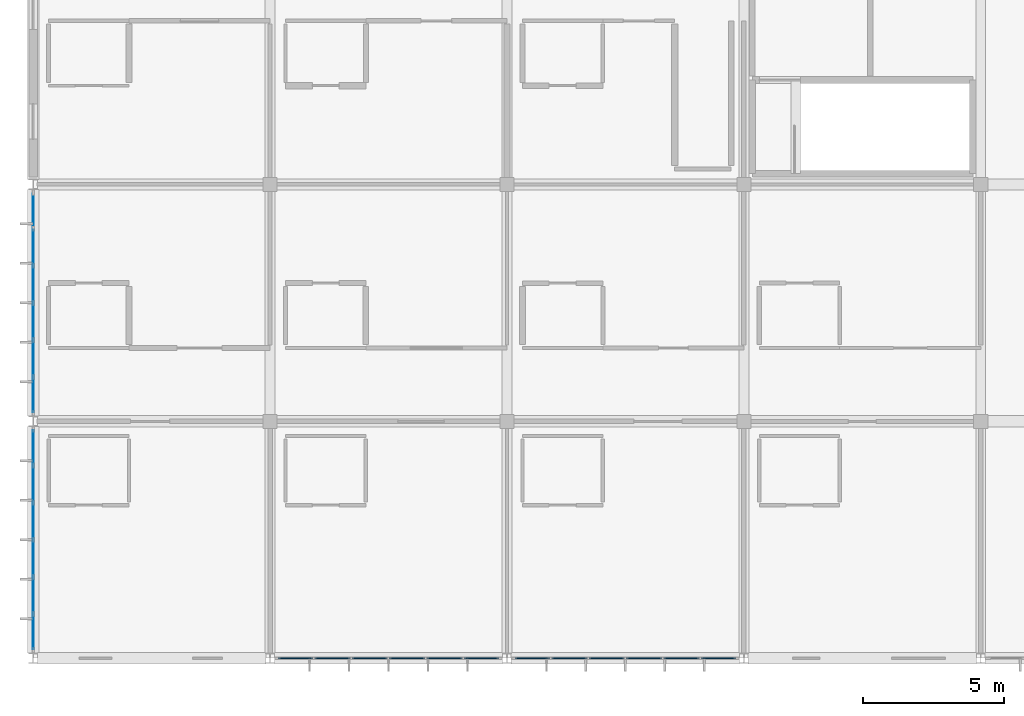
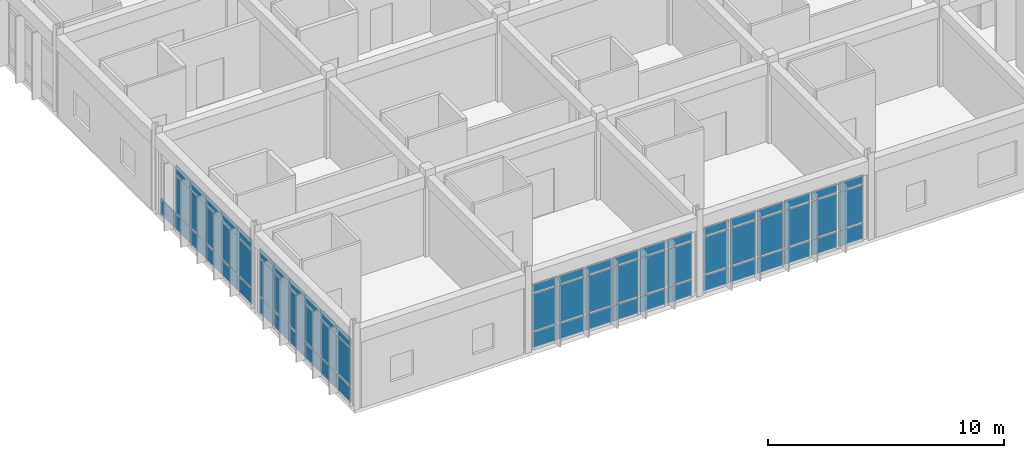
# One storey, part 70 of 144: 70 plates, 4 elements without a shape of their own.
"""IFC4 building model written with IfcOpenShell, lengths in metres."""

import ifcopenshell
import ifcopenshell.guid

model = None  # the IFC model being written
_history = None  # IfcOwnerHistory: only IFC2X3 demands one
_inside = {}  # id of a spatial element -> (the spatial element, [elements in it])
_under = {}  # id of a project, library or spatial element -> (it, [spatial elements below it])
_declared = {}  # id of a project -> (the project, [libraries it declares])
_typed = {}  # id of a type object -> (the type object, [elements of that type])
_made_of = {}  # id of a material, layer set ... -> (it, [elements and type objects made of it])


def new_model(schema):
    """Start an empty IFC model of exactly this schema.

    Asked for "IFC4X3", IfcOpenShell would pick the latest addendum, in which some entities
    have other attributes; the version numbers below select the first issue.
    IFC2X3 requires an IfcOwnerHistory on every rooted entity: one is made here for all.
    """
    global model, _history
    if schema == "IFC4X3":
        model = ifcopenshell.file(schema_version=(4, 3, 0, 0))
    else:
        model = ifcopenshell.file(schema=schema)
    _inside.clear()
    _under.clear()
    _declared.clear()
    _typed.clear()
    _made_of.clear()
    _history = None
    if model.schema == "IFC2X3":
        org = make("IfcOrganization", Name="unknown")
        user = make(
            "IfcPersonAndOrganization",
            ThePerson=make("IfcPerson", FamilyName="unknown"),
            TheOrganization=org,
        )
        app = make(
            "IfcApplication",
            ApplicationDeveloper=org,
            Version="unknown",
            ApplicationFullName="unknown",
            ApplicationIdentifier="unknown",
        )
        _history = make(
            "IfcOwnerHistory",
            OwningUser=user,
            OwningApplication=app,
            ChangeAction="ADDED",
            CreationDate=0,
        )
    return model


def make(cls, **values):
    """One entity of the class cls with the attributes given. An attribute that is None is left unset."""
    return model.create_entity(
        cls, **{name: value for name, value in values.items() if value is not None}
    )


def rooted(cls, **values):
    """An entity with a GlobalId (a new one), such as an element, a storey or a relation."""
    return make(cls, GlobalId=ifcopenshell.guid.new(), OwnerHistory=_history, **values)


def si_unit(unit_type, name, prefix=None):
    """IfcSIUnit, for example si_unit("LENGTHUNIT", "METRE", prefix="MILLI")."""
    return make("IfcSIUnit", UnitType=unit_type, Prefix=prefix, Name=name)


def assignment(units):
    """IfcUnitAssignment: the units of a project."""
    return None if units is None else make("IfcUnitAssignment", Units=units)


def point(xyz):
    """IfcCartesianPoint."""
    return None if xyz is None else make("IfcCartesianPoint", Coordinates=xyz)


def direction(xyz):
    """IfcDirection."""
    return None if xyz is None else make("IfcDirection", DirectionRatios=xyz)


def frame(location, z_axis=None, x_axis=None):
    """IfcAxis2Placement3D, a coordinate frame: its origin and axes. An axis left out is left unset."""
    return make(
        "IfcAxis2Placement3D",
        Location=point(location),
        Axis=direction(z_axis),
        RefDirection=direction(x_axis),
    )


def frame_2d(location, x_axis=None):
    """IfcAxis2Placement2D, a coordinate frame in the plane: its origin and x axis."""
    return make(
        "IfcAxis2Placement2D", Location=point(location), RefDirection=direction(x_axis)
    )


def origin():
    """The frame at (0, 0, 0) with its axes left unset."""
    return frame((0.0, 0.0, 0.0))


def origin_2d():
    """The frame at (0, 0) in the plane with its x axis left unset."""
    return frame_2d((0.0, 0.0))


def place(relative_to, where):
    """IfcLocalPlacement: puts the frame where relative to a parent placement (None: the world)."""
    return make(
        "IfcLocalPlacement", PlacementRelTo=relative_to, RelativePlacement=where
    )


def context(
    kind, dimensions, precision=None, world=None, true_north=None, identifier=None
):
    """IfcGeometricRepresentationContext, for example the 3D "Model" context."""
    return make(
        "IfcGeometricRepresentationContext",
        ContextIdentifier=identifier,
        ContextType=kind,
        CoordinateSpaceDimension=dimensions,
        Precision=precision,
        WorldCoordinateSystem=world,
        TrueNorth=true_north,
    )


def subcontext(parent, identifier, kind, view, scale=None):
    """IfcGeometricRepresentationSubContext, for example "Body" below "Model"."""
    return make(
        "IfcGeometricRepresentationSubContext",
        ContextIdentifier=identifier,
        ContextType=kind,
        ParentContext=parent,
        TargetScale=scale,
        TargetView=view,
    )


def project(units=None, contexts=None):
    """IfcProject with its units and contexts."""
    return rooted(
        "IfcProject",
        Name="project",
        RepresentationContexts=contexts,
        UnitsInContext=assignment(units),
    )


def spatial(cls, under=None, at=None, **own):
    """A site, building, storey or space (cls), placed at a placement, below another one or the project."""
    s = rooted(cls, ObjectPlacement=at, **own)
    if under is not None:
        _under.setdefault(under.id(), (under, []))[1].append(s)
    return s


def profile(cls, at=None, kind="AREA", **sizes):
    """A parametric profile (cls). Its sizes go by their IFC names, for example OverallWidth=200.0."""
    return make(cls, ProfileType=kind, Position=at, **sizes)


def rectangle(**sizes):
    """IfcRectangleProfileDef."""
    return profile("IfcRectangleProfileDef", **sizes)


def extrude(swept, where, along, depth):
    """IfcExtrudedAreaSolid: the profile swept, set in the frame where, extruded along a direction by depth."""
    return make(
        "IfcExtrudedAreaSolid",
        SweptArea=swept,
        Position=where,
        ExtrudedDirection=direction(along),
        Depth=depth,
    )


def shape(context_of_items, identifier, shape_type, items):
    """IfcShapeRepresentation: the items that make up one representation, for example the "Body"."""
    return make(
        "IfcShapeRepresentation",
        ContextOfItems=context_of_items,
        RepresentationIdentifier=identifier,
        RepresentationType=shape_type,
        Items=items,
    )


def material(Name=None, Category=None):
    """IfcMaterial."""
    return make("IfcMaterial", Name=Name, Category=Category)


def layer(
    of_material, thickness, ventilated=None, Name=None, Category=None, Priority=None
):
    """IfcMaterialLayer: one layer of a wall or slab, of a material (None: an air gap)."""
    return make(
        "IfcMaterialLayer",
        Material=of_material,
        LayerThickness=thickness,
        IsVentilated=ventilated,
        Name=Name,
        Category=Category,
        Priority=Priority,
    )


def layer_set(layers, Name=None):
    """IfcMaterialLayerSet."""
    return make("IfcMaterialLayerSet", MaterialLayers=layers, LayerSetName=Name)


def made_of(thing, what):
    """Note that an element or type object is made of a material, layer set ...; save() writes the relation."""
    if what is not None:
        _made_of.setdefault(what.id(), (what, []))[1].append(thing)
    return thing


def type_object(cls, material=None, **own):
    """A type object (cls), such as IfcWallType, which elements share."""
    return made_of(rooted(cls, **own), material)


def element(
    cls,
    number,
    at=None,
    inside=None,
    cuts=None,
    type_object=None,
    material=None,
    context=None,
    identifier="Body",
    shape_type=None,
    held_by="IfcProductDefinitionShape",
    body=None,
    shapes=None,
    **own,
):
    """One element of the class cls, such as IfcWall. Its Tag is "e" and its number.

    at: its placement. inside: the storey or other place that contains it. cuts: it is an
    opening in that element (IfcRelVoidsElement). A single representation is given by context,
    identifier, shape_type and body (its items); several are given by shapes. held_by: the class
    of the entity that holds the representations. save() writes the other relations.
    """
    e = rooted(cls, Tag="e%d" % number, ObjectPlacement=at, **own)
    if body is not None:
        shapes = [shape(context, identifier, shape_type, body)]
    if shapes is not None:
        e.Representation = make(held_by, Representations=shapes)
    if inside is not None:
        _inside.setdefault(inside.id(), (inside, []))[1].append(e)
    if cuts is not None:
        rooted(
            "IfcRelVoidsElement", RelatingBuildingElement=cuts, RelatedOpeningElement=e
        )
    if type_object is not None:
        _typed.setdefault(type_object.id(), (type_object, []))[1].append(e)
    return made_of(e, material)


def aggregate(whole, parts):
    """IfcRelAggregates: a whole, such as a stair, and the parts it consists of."""
    return rooted("IfcRelAggregates", RelatingObject=whole, RelatedObjects=parts)


def save(model, path):
    """Write the relations noted so far, then the file.

    IfcRelAggregates (storeys below a building ...), IfcRelContainedInSpatialStructure (elements
    in a storey), IfcRelDefinesByType, IfcRelAssociatesMaterial and IfcRelDeclares: one each for
    every whole, place, type object, material and project.
    """
    for whole, parts in _under.values():
        aggregate(whole, parts)
    for where, things in _inside.values():
        rooted(
            "IfcRelContainedInSpatialStructure",
            RelatedElements=things,
            RelatingStructure=where,
        )
    for kind, things in _typed.values():
        rooted("IfcRelDefinesByType", RelatedObjects=things, RelatingType=kind)
    for what, things in _made_of.values():
        rooted("IfcRelAssociatesMaterial", RelatedObjects=things, RelatingMaterial=what)
    for by, libraries in _declared.values():
        rooted("IfcRelDeclares", RelatingContext=by, RelatedDefinitions=libraries)
    model.write(path)


model = new_model("IFC4")

# Units and contexts
model_context = context("Model", 3, precision=1e-05, world=origin(), true_north=direction((0.0, 1.0)))
body_context = subcontext(model_context, "Body", "Model", "MODEL_VIEW")
ifc_project = project(units=[si_unit("LENGTHUNIT", "METRE"), si_unit("AREAUNIT", "SQUARE_METRE"), si_unit("VOLUMEUNIT", "CUBIC_METRE"), si_unit("PLANEANGLEUNIT", "RADIAN"), si_unit("MASSUNIT", "GRAM", prefix="KILO")], contexts=[model_context])

# Site, building, storey
site_placement = place(None, origin())
site = spatial("IfcSite", under=ifc_project, at=site_placement, CompositionType="ELEMENT")
building_placement = place(site_placement, origin())
building = spatial("IfcBuilding", under=site, at=building_placement, Name="Bramfleet General Hospital", CompositionType="ELEMENT")
storey_placement = place(building_placement, frame((0.0, 0.0, 4.800048828125)))
storey = spatial("IfcBuildingStorey", under=building, at=storey_placement, Name="L01", CompositionType="ELEMENT", Elevation=4.800048828125)

# Curtain wall, plates
ifc_material_1 = material(Name="Anodised aluminium and low-E triple glazing", Category="aluminium")
ifc_layer_1 = layer(ifc_material_1, 0.179931640625, Name="CWT-CW-17")
ifc_layer_set_1 = layer_set([ifc_layer_1], Name="Anodised aluminium and low-E triple glazing")
curtain_wall_type_1 = type_object("IfcCurtainWallType", Name="CWT-CW-17", PredefinedType="USERDEFINED", material=ifc_layer_set_1)
curtain_wall_1_placement = place(storey_placement, origin())
curtain_wall_1 = element("IfcCurtainWall", 1, at=curtain_wall_1_placement, inside=storey, type_object=curtain_wall_type_1, Name="L01 Curtain Wall 89", ObjectType="Stick curtain wall", PredefinedType="USERDEFINED")
ifc_material_2 = material(Name="Low-E laminated safety glass", Category="glass")
ifc_layer_2 = layer(ifc_material_2, 0.028076171875, Name="CWP-GLZ-1")
ifc_layer_set_2 = layer_set([ifc_layer_2], Name="Low-E laminated safety glass")
plate_type_1 = type_object("IfcPlateType", Name="CWP-GLZ-1", PredefinedType="CURTAIN_PANEL", material=ifc_layer_set_2)
plate_1_placement = place(storey_placement, frame((0.0, 0.929931640625, 0.06494140625), z_axis=(0.0, 0.0, 1.0), x_axis=(0.0, 1.0, 0.0)))
plate_1 = element("IfcPlate", 2, at=plate_1_placement, type_object=plate_type_1, Name="CW-17 panel 1.1", PredefinedType="CURTAIN_PANEL", context=body_context, shape_type="SweptSolid", body=[
    extrude(rectangle(XDim=1.2099609375, YDim=0.028076171875, at=origin_2d()), origin(), (0.0, 0.0, 1.0), 0.802490234375),
])
plate_2_placement = place(storey_placement, frame((0.0, 0.929931640625, 0.9326171875), z_axis=(0.0, 0.0, 1.0), x_axis=(0.0, 1.0, 0.0)))
plate_2 = element("IfcPlate", 3, at=plate_2_placement, type_object=plate_type_1, Name="CW-17 panel 1.2", PredefinedType="CURTAIN_PANEL", context=body_context, shape_type="SweptSolid", body=[
    extrude(rectangle(XDim=1.2099609375, YDim=0.028076171875, at=origin_2d()), origin(), (0.0, 0.0, 1.0), 1.925048828125),
])
plate_3_placement = place(storey_placement, frame((0.0, 0.929931640625, 2.92236328125), z_axis=(0.0, 0.0, 1.0), x_axis=(0.0, 1.0, 0.0)))
plate_3 = element("IfcPlate", 4, at=plate_3_placement, type_object=plate_type_1, Name="CW-17 panel 1.3", PredefinedType="CURTAIN_PANEL", context=body_context, shape_type="SweptSolid", body=[
    extrude(rectangle(XDim=1.2099609375, YDim=0.028076171875, at=origin_2d()), origin(), (0.0, 0.0, 1.0), 0.452392578125),
])
plate_4_placement = place(storey_placement, frame((0.0, 2.2275390625, 0.06494140625), z_axis=(0.0, 0.0, 1.0), x_axis=(0.0, 1.0, 0.0)))
plate_4 = element("IfcPlate", 5, at=plate_4_placement, type_object=plate_type_1, Name="CW-17 panel 2.1", PredefinedType="CURTAIN_PANEL", context=body_context, shape_type="SweptSolid", body=[
    extrude(rectangle(XDim=1.2451171875, YDim=0.028076171875, at=origin_2d()), origin(), (0.0, 0.0, 1.0), 0.802490234375),
])
plate_5_placement = place(storey_placement, frame((0.0, 2.2275390625, 0.9326171875), z_axis=(0.0, 0.0, 1.0), x_axis=(0.0, 1.0, 0.0)))
plate_5 = element("IfcPlate", 6, at=plate_5_placement, type_object=plate_type_1, Name="CW-17 panel 2.2", PredefinedType="CURTAIN_PANEL", context=body_context, shape_type="SweptSolid", body=[
    extrude(rectangle(XDim=1.2451171875, YDim=0.028076171875, at=origin_2d()), origin(), (0.0, 0.0, 1.0), 1.925048828125),
])
plate_6_placement = place(storey_placement, frame((0.0, 2.2275390625, 2.92236328125), z_axis=(0.0, 0.0, 1.0), x_axis=(0.0, 1.0, 0.0)))
plate_6 = element("IfcPlate", 7, at=plate_6_placement, type_object=plate_type_1, Name="CW-17 panel 2.3", PredefinedType="CURTAIN_PANEL", context=body_context, shape_type="SweptSolid", body=[
    extrude(rectangle(XDim=1.2451171875, YDim=0.028076171875, at=origin_2d()), origin(), (0.0, 0.0, 1.0), 0.452392578125),
])
plate_7_placement = place(storey_placement, frame((0.0, 3.54248046875, 0.06494140625), z_axis=(0.0, 0.0, 1.0), x_axis=(0.0, 1.0, 0.0)))
plate_7 = element("IfcPlate", 8, at=plate_7_placement, type_object=plate_type_1, Name="CW-17 panel 3.1", PredefinedType="CURTAIN_PANEL", context=body_context, shape_type="SweptSolid", body=[
    extrude(rectangle(XDim=1.2451171875, YDim=0.028076171875, at=origin_2d()), origin(), (0.0, 0.0, 1.0), 0.802490234375),
])
plate_8_placement = place(storey_placement, frame((0.0, 3.54248046875, 0.9326171875), z_axis=(0.0, 0.0, 1.0), x_axis=(0.0, 1.0, 0.0)))
plate_8 = element("IfcPlate", 9, at=plate_8_placement, type_object=plate_type_1, Name="CW-17 panel 3.2", PredefinedType="CURTAIN_PANEL", context=body_context, shape_type="SweptSolid", body=[
    extrude(rectangle(XDim=1.2451171875, YDim=0.028076171875, at=origin_2d()), origin(), (0.0, 0.0, 1.0), 1.925048828125),
])
plate_9_placement = place(storey_placement, frame((0.0, 3.54248046875, 2.92236328125), z_axis=(0.0, 0.0, 1.0), x_axis=(0.0, 1.0, 0.0)))
plate_9 = element("IfcPlate", 10, at=plate_9_placement, type_object=plate_type_1, Name="CW-17 panel 3.3", PredefinedType="CURTAIN_PANEL", context=body_context, shape_type="SweptSolid", body=[
    extrude(rectangle(XDim=1.2451171875, YDim=0.028076171875, at=origin_2d()), origin(), (0.0, 0.0, 1.0), 0.452392578125),
])
plate_10_placement = place(storey_placement, frame((0.0, 4.857421875, 0.06494140625), z_axis=(0.0, 0.0, 1.0), x_axis=(0.0, 1.0, 0.0)))
plate_10 = element("IfcPlate", 11, at=plate_10_placement, type_object=plate_type_1, Name="CW-17 panel 4.1", PredefinedType="CURTAIN_PANEL", context=body_context, shape_type="SweptSolid", body=[
    extrude(rectangle(XDim=1.2451171875, YDim=0.028076171875, at=origin_2d()), origin(), (0.0, 0.0, 1.0), 0.802490234375),
])
plate_11_placement = place(storey_placement, frame((0.0, 4.857421875, 0.9326171875), z_axis=(0.0, 0.0, 1.0), x_axis=(0.0, 1.0, 0.0)))
plate_11 = element("IfcPlate", 12, at=plate_11_placement, type_object=plate_type_1, Name="CW-17 panel 4.2", PredefinedType="CURTAIN_PANEL", context=body_context, shape_type="SweptSolid", body=[
    extrude(rectangle(XDim=1.2451171875, YDim=0.028076171875, at=origin_2d()), origin(), (0.0, 0.0, 1.0), 1.925048828125),
])
plate_12_placement = place(storey_placement, frame((0.0, 4.857421875, 2.92236328125), z_axis=(0.0, 0.0, 1.0), x_axis=(0.0, 1.0, 0.0)))
plate_12 = element("IfcPlate", 13, at=plate_12_placement, type_object=plate_type_1, Name="CW-17 panel 4.3", PredefinedType="CURTAIN_PANEL", context=body_context, shape_type="SweptSolid", body=[
    extrude(rectangle(XDim=1.2451171875, YDim=0.028076171875, at=origin_2d()), origin(), (0.0, 0.0, 1.0), 0.452392578125),
])
plate_13_placement = place(storey_placement, frame((0.0, 6.172607421875, 0.06494140625), z_axis=(0.0, 0.0, 1.0), x_axis=(0.0, 1.0, 0.0)))
plate_13 = element("IfcPlate", 14, at=plate_13_placement, type_object=plate_type_1, Name="CW-17 panel 5.1", PredefinedType="CURTAIN_PANEL", context=body_context, shape_type="SweptSolid", body=[
    extrude(rectangle(XDim=1.2451171875, YDim=0.028076171875, at=origin_2d()), origin(), (0.0, 0.0, 1.0), 0.802490234375),
])
plate_14_placement = place(storey_placement, frame((0.0, 6.172607421875, 0.9326171875), z_axis=(0.0, 0.0, 1.0), x_axis=(0.0, 1.0, 0.0)))
plate_14 = element("IfcPlate", 15, at=plate_14_placement, type_object=plate_type_1, Name="CW-17 panel 5.2", PredefinedType="CURTAIN_PANEL", context=body_context, shape_type="SweptSolid", body=[
    extrude(rectangle(XDim=1.2451171875, YDim=0.028076171875, at=origin_2d()), origin(), (0.0, 0.0, 1.0), 1.925048828125),
])
plate_15_placement = place(storey_placement, frame((0.0, 6.172607421875, 2.92236328125), z_axis=(0.0, 0.0, 1.0), x_axis=(0.0, 1.0, 0.0)))
plate_15 = element("IfcPlate", 16, at=plate_15_placement, type_object=plate_type_1, Name="CW-17 panel 5.3", PredefinedType="CURTAIN_PANEL", context=body_context, shape_type="SweptSolid", body=[
    extrude(rectangle(XDim=1.2451171875, YDim=0.028076171875, at=origin_2d()), origin(), (0.0, 0.0, 1.0), 0.452392578125),
])
plate_16_placement = place(storey_placement, frame((0.0, 7.469970703125, 0.06494140625), z_axis=(0.0, 0.0, 1.0), x_axis=(0.0, 1.0, 0.0)))
plate_16 = element("IfcPlate", 17, at=plate_16_placement, type_object=plate_type_1, Name="CW-17 panel 6.1", PredefinedType="CURTAIN_PANEL", context=body_context, shape_type="SweptSolid", body=[
    extrude(rectangle(XDim=1.2099609375, YDim=0.028076171875, at=origin_2d()), origin(), (0.0, 0.0, 1.0), 0.802490234375),
])
plate_17_placement = place(storey_placement, frame((0.0, 7.469970703125, 0.9326171875), z_axis=(0.0, 0.0, 1.0), x_axis=(0.0, 1.0, 0.0)))
plate_17 = element("IfcPlate", 18, at=plate_17_placement, type_object=plate_type_1, Name="CW-17 panel 6.2", PredefinedType="CURTAIN_PANEL", context=body_context, shape_type="SweptSolid", body=[
    extrude(rectangle(XDim=1.2099609375, YDim=0.028076171875, at=origin_2d()), origin(), (0.0, 0.0, 1.0), 1.925048828125),
])
plate_18_placement = place(storey_placement, frame((0.0, 7.469970703125, 2.92236328125), z_axis=(0.0, 0.0, 1.0), x_axis=(0.0, 1.0, 0.0)))
plate_18 = element("IfcPlate", 19, at=plate_18_placement, type_object=plate_type_1, Name="CW-17 panel 6.3", PredefinedType="CURTAIN_PANEL", context=body_context, shape_type="SweptSolid", body=[
    extrude(rectangle(XDim=1.2099609375, YDim=0.028076171875, at=origin_2d()), origin(), (0.0, 0.0, 1.0), 0.452392578125),
])
aggregate(curtain_wall_1, [plate_1, plate_2, plate_3, plate_4, plate_5, plate_6, plate_7, plate_8, plate_9, plate_10, plate_11, plate_12, plate_13, plate_14, plate_15, plate_16, plate_17, plate_18])

ifc_layer_3 = layer(ifc_material_1, 0.179931640625, Name="CWT-CW-18")
ifc_layer_set_3 = layer_set([ifc_layer_3], Name="Anodised aluminium and low-E triple glazing")
curtain_wall_type_2 = type_object("IfcCurtainWallType", Name="CWT-CW-18", PredefinedType="USERDEFINED", material=ifc_layer_set_3)
curtain_wall_2_placement = place(storey_placement, origin())
curtain_wall_2 = element("IfcCurtainWall", 20, at=curtain_wall_2_placement, inside=storey, type_object=curtain_wall_type_2, Name="L01 Curtain Wall 90", ObjectType="Stick curtain wall", PredefinedType="USERDEFINED")
ifc_layer_4 = layer(ifc_material_2, 0.031982421875, Name="CWP-GLZ-2")
ifc_layer_set_4 = layer_set([ifc_layer_4], Name="Low-E laminated safety glass")
plate_type_2 = type_object("IfcPlateType", Name="CWP-GLZ-2", PredefinedType="CURTAIN_PANEL", material=ifc_layer_set_4)
plate_19_placement = place(storey_placement, frame((0.0, 9.330078125, 0.06494140625), z_axis=(0.0, 0.0, 1.0), x_axis=(0.0, 1.0, 0.0)))
plate_19 = element("IfcPlate", 21, at=plate_19_placement, type_object=plate_type_2, Name="CW-18 panel 1.1", PredefinedType="CURTAIN_PANEL", context=body_context, shape_type="SweptSolid", body=[
    extrude(rectangle(XDim=1.2099609375, YDim=0.031982421875, at=origin_2d()), origin(), (0.0, 0.0, 1.0), 0.802490234375),
])
plate_20_placement = place(storey_placement, frame((0.0, 9.330078125, 0.9326171875), z_axis=(0.0, 0.0, 1.0), x_axis=(0.0, 1.0, 0.0)))
plate_20 = element("IfcPlate", 22, at=plate_20_placement, type_object=plate_type_2, Name="CW-18 panel 1.2", PredefinedType="CURTAIN_PANEL", context=body_context, shape_type="SweptSolid", body=[
    extrude(rectangle(XDim=1.2099609375, YDim=0.031982421875, at=origin_2d()), origin(), (0.0, 0.0, 1.0), 1.925048828125),
])
plate_21_placement = place(storey_placement, frame((0.0, 9.330078125, 2.92236328125), z_axis=(0.0, 0.0, 1.0), x_axis=(0.0, 1.0, 0.0)))
plate_21 = element("IfcPlate", 23, at=plate_21_placement, type_object=plate_type_2, Name="CW-18 panel 1.3", PredefinedType="CURTAIN_PANEL", context=body_context, shape_type="SweptSolid", body=[
    extrude(rectangle(XDim=1.2099609375, YDim=0.031982421875, at=origin_2d()), origin(), (0.0, 0.0, 1.0), 0.452392578125),
])
plate_22_placement = place(storey_placement, frame((0.0, 10.62744140625, 0.06494140625), z_axis=(0.0, 0.0, 1.0), x_axis=(0.0, 1.0, 0.0)))
plate_22 = element("IfcPlate", 24, at=plate_22_placement, type_object=plate_type_2, Name="CW-18 panel 2.1", PredefinedType="CURTAIN_PANEL", context=body_context, shape_type="SweptSolid", body=[
    extrude(rectangle(XDim=1.2451171875, YDim=0.031982421875, at=origin_2d()), origin(), (0.0, 0.0, 1.0), 0.802490234375),
])
plate_23_placement = place(storey_placement, frame((0.0, 10.62744140625, 0.9326171875), z_axis=(0.0, 0.0, 1.0), x_axis=(0.0, 1.0, 0.0)))
plate_23 = element("IfcPlate", 25, at=plate_23_placement, type_object=plate_type_2, Name="CW-18 panel 2.2", PredefinedType="CURTAIN_PANEL", context=body_context, shape_type="SweptSolid", body=[
    extrude(rectangle(XDim=1.2451171875, YDim=0.031982421875, at=origin_2d()), origin(), (0.0, 0.0, 1.0), 1.925048828125),
])
plate_24_placement = place(storey_placement, frame((0.0, 10.62744140625, 2.92236328125), z_axis=(0.0, 0.0, 1.0), x_axis=(0.0, 1.0, 0.0)))
plate_24 = element("IfcPlate", 26, at=plate_24_placement, type_object=plate_type_2, Name="CW-18 panel 2.3", PredefinedType="CURTAIN_PANEL", context=body_context, shape_type="SweptSolid", body=[
    extrude(rectangle(XDim=1.2451171875, YDim=0.031982421875, at=origin_2d()), origin(), (0.0, 0.0, 1.0), 0.452392578125),
])
plate_25_placement = place(storey_placement, frame((0.0, 11.9423828125, 0.06494140625), z_axis=(0.0, 0.0, 1.0), x_axis=(0.0, 1.0, 0.0)))
plate_25 = element("IfcPlate", 27, at=plate_25_placement, type_object=plate_type_2, Name="CW-18 panel 3.1", PredefinedType="CURTAIN_PANEL", context=body_context, shape_type="SweptSolid", body=[
    extrude(rectangle(XDim=1.2451171875, YDim=0.031982421875, at=origin_2d()), origin(), (0.0, 0.0, 1.0), 0.802490234375),
])
plate_26_placement = place(storey_placement, frame((0.0, 11.9423828125, 0.9326171875), z_axis=(0.0, 0.0, 1.0), x_axis=(0.0, 1.0, 0.0)))
plate_26 = element("IfcPlate", 28, at=plate_26_placement, type_object=plate_type_2, Name="CW-18 panel 3.2", PredefinedType="CURTAIN_PANEL", context=body_context, shape_type="SweptSolid", body=[
    extrude(rectangle(XDim=1.2451171875, YDim=0.031982421875, at=origin_2d()), origin(), (0.0, 0.0, 1.0), 1.925048828125),
])
plate_27_placement = place(storey_placement, frame((0.0, 11.9423828125, 2.92236328125), z_axis=(0.0, 0.0, 1.0), x_axis=(0.0, 1.0, 0.0)))
plate_27 = element("IfcPlate", 29, at=plate_27_placement, type_object=plate_type_2, Name="CW-18 panel 3.3", PredefinedType="CURTAIN_PANEL", context=body_context, shape_type="SweptSolid", body=[
    extrude(rectangle(XDim=1.2451171875, YDim=0.031982421875, at=origin_2d()), origin(), (0.0, 0.0, 1.0), 0.452392578125),
])
plate_28_placement = place(storey_placement, frame((0.0, 13.257568359375, 0.06494140625), z_axis=(0.0, 0.0, 1.0), x_axis=(0.0, 1.0, 0.0)))
plate_28 = element("IfcPlate", 30, at=plate_28_placement, type_object=plate_type_2, Name="CW-18 panel 4.1", PredefinedType="CURTAIN_PANEL", context=body_context, shape_type="SweptSolid", body=[
    extrude(rectangle(XDim=1.2451171875, YDim=0.031982421875, at=origin_2d()), origin(), (0.0, 0.0, 1.0), 0.802490234375),
])
plate_29_placement = place(storey_placement, frame((0.0, 13.257568359375, 0.9326171875), z_axis=(0.0, 0.0, 1.0), x_axis=(0.0, 1.0, 0.0)))
plate_29 = element("IfcPlate", 31, at=plate_29_placement, type_object=plate_type_2, Name="CW-18 panel 4.2", PredefinedType="CURTAIN_PANEL", context=body_context, shape_type="SweptSolid", body=[
    extrude(rectangle(XDim=1.2451171875, YDim=0.031982421875, at=origin_2d()), origin(), (0.0, 0.0, 1.0), 1.925048828125),
])
plate_30_placement = place(storey_placement, frame((0.0, 13.257568359375, 2.92236328125), z_axis=(0.0, 0.0, 1.0), x_axis=(0.0, 1.0, 0.0)))
plate_30 = element("IfcPlate", 32, at=plate_30_placement, type_object=plate_type_2, Name="CW-18 panel 4.3", PredefinedType="CURTAIN_PANEL", context=body_context, shape_type="SweptSolid", body=[
    extrude(rectangle(XDim=1.2451171875, YDim=0.031982421875, at=origin_2d()), origin(), (0.0, 0.0, 1.0), 0.452392578125),
])
plate_31_placement = place(storey_placement, frame((0.0, 14.572509765625, 0.06494140625), z_axis=(0.0, 0.0, 1.0), x_axis=(0.0, 1.0, 0.0)))
plate_31 = element("IfcPlate", 33, at=plate_31_placement, type_object=plate_type_2, Name="CW-18 panel 5.1", PredefinedType="CURTAIN_PANEL", context=body_context, shape_type="SweptSolid", body=[
    extrude(rectangle(XDim=1.2451171875, YDim=0.031982421875, at=origin_2d()), origin(), (0.0, 0.0, 1.0), 0.802490234375),
])
plate_32_placement = place(storey_placement, frame((0.0, 14.572509765625, 0.9326171875), z_axis=(0.0, 0.0, 1.0), x_axis=(0.0, 1.0, 0.0)))
plate_32 = element("IfcPlate", 34, at=plate_32_placement, type_object=plate_type_2, Name="CW-18 panel 5.2", PredefinedType="CURTAIN_PANEL", context=body_context, shape_type="SweptSolid", body=[
    extrude(rectangle(XDim=1.2451171875, YDim=0.031982421875, at=origin_2d()), origin(), (0.0, 0.0, 1.0), 1.925048828125),
])
plate_33_placement = place(storey_placement, frame((0.0, 14.572509765625, 2.92236328125), z_axis=(0.0, 0.0, 1.0), x_axis=(0.0, 1.0, 0.0)))
plate_33 = element("IfcPlate", 35, at=plate_33_placement, type_object=plate_type_2, Name="CW-18 panel 5.3", PredefinedType="CURTAIN_PANEL", context=body_context, shape_type="SweptSolid", body=[
    extrude(rectangle(XDim=1.2451171875, YDim=0.031982421875, at=origin_2d()), origin(), (0.0, 0.0, 1.0), 0.452392578125),
])
plate_34_placement = place(storey_placement, frame((0.0, 15.8701171875, 0.06494140625), z_axis=(0.0, 0.0, 1.0), x_axis=(0.0, 1.0, 0.0)))
plate_34 = element("IfcPlate", 36, at=plate_34_placement, type_object=plate_type_2, Name="CW-18 panel 6.1", PredefinedType="CURTAIN_PANEL", context=body_context, shape_type="SweptSolid", body=[
    extrude(rectangle(XDim=1.2099609375, YDim=0.031982421875, at=origin_2d()), origin(), (0.0, 0.0, 1.0), 0.802490234375),
])
aggregate(curtain_wall_2, [plate_19, plate_20, plate_21, plate_22, plate_23, plate_24, plate_25, plate_26, plate_27, plate_28, plate_29, plate_30, plate_31, plate_32, plate_33, plate_34])

ifc_layer_5 = layer(ifc_material_1, 0.179931640625, Name="CWT-CW-15")
ifc_layer_set_5 = layer_set([ifc_layer_5], Name="Anodised aluminium and low-E triple glazing")
curtain_wall_type_3 = type_object("IfcCurtainWallType", Name="CWT-CW-15", PredefinedType="USERDEFINED", material=ifc_layer_set_5)
curtain_wall_3_placement = place(storey_placement, origin())
curtain_wall_3 = element("IfcCurtainWall", 37, at=curtain_wall_3_placement, inside=storey, type_object=curtain_wall_type_3, Name="L01 Curtain Wall 87", ObjectType="Stick curtain wall", PredefinedType="USERDEFINED")
ifc_layer_6 = layer(ifc_material_2, 0.035888671875, Name="CWP-GLZ-3")
ifc_layer_set_6 = layer_set([ifc_layer_6], Name="Low-E laminated safety glass")
plate_type_3 = type_object("IfcPlateType", Name="CWP-GLZ-3", PredefinedType="CURTAIN_PANEL", material=ifc_layer_set_6)
plate_35_placement = place(storey_placement, frame((24.294921875, 0.0, 0.06494140625), z_axis=(0.0, 0.0, 1.0), x_axis=(-1.0, 0.0, 0.0)))
plate_35 = element("IfcPlate", 38, at=plate_35_placement, type_object=plate_type_3, Name="CW-15 panel 1.1", PredefinedType="CURTAIN_PANEL", context=body_context, shape_type="SweptSolid", body=[
    extrude(rectangle(XDim=1.219970703125, YDim=0.035888671875, at=origin_2d()), origin(), (0.0, 0.0, 1.0), 0.802490234375),
])
plate_36_placement = place(storey_placement, frame((24.294921875, 0.0, 0.9326171875), z_axis=(0.0, 0.0, 1.0), x_axis=(-1.0, 0.0, 0.0)))
plate_36 = element("IfcPlate", 39, at=plate_36_placement, type_object=plate_type_3, Name="CW-15 panel 1.2", PredefinedType="CURTAIN_PANEL", context=body_context, shape_type="SweptSolid", body=[
    extrude(rectangle(XDim=1.219970703125, YDim=0.035888671875, at=origin_2d()), origin(), (0.0, 0.0, 1.0), 1.925048828125),
])
plate_37_placement = place(storey_placement, frame((24.294921875, 0.0, 2.92236328125), z_axis=(0.0, 0.0, 1.0), x_axis=(-1.0, 0.0, 0.0)))
plate_37 = element("IfcPlate", 40, at=plate_37_placement, type_object=plate_type_3, Name="CW-15 panel 1.3", PredefinedType="CURTAIN_PANEL", context=body_context, shape_type="SweptSolid", body=[
    extrude(rectangle(XDim=1.219970703125, YDim=0.035888671875, at=origin_2d()), origin(), (0.0, 0.0, 1.0), 0.452392578125),
])
plate_38_placement = place(storey_placement, frame((22.987548828125, 0.0, 0.06494140625), z_axis=(0.0, 0.0, 1.0), x_axis=(-1.0, 0.0, 0.0)))
plate_38 = element("IfcPlate", 41, at=plate_38_placement, type_object=plate_type_3, Name="CW-15 panel 2.1", PredefinedType="CURTAIN_PANEL", context=body_context, shape_type="SweptSolid", body=[
    extrude(rectangle(XDim=1.2548828125, YDim=0.035888671875, at=origin_2d()), origin(), (0.0, 0.0, 1.0), 0.802490234375),
])
plate_39_placement = place(storey_placement, frame((22.987548828125, 0.0, 0.9326171875), z_axis=(0.0, 0.0, 1.0), x_axis=(-1.0, 0.0, 0.0)))
plate_39 = element("IfcPlate", 42, at=plate_39_placement, type_object=plate_type_3, Name="CW-15 panel 2.2", PredefinedType="CURTAIN_PANEL", context=body_context, shape_type="SweptSolid", body=[
    extrude(rectangle(XDim=1.2548828125, YDim=0.035888671875, at=origin_2d()), origin(), (0.0, 0.0, 1.0), 1.925048828125),
])
plate_40_placement = place(storey_placement, frame((22.987548828125, 0.0, 2.92236328125), z_axis=(0.0, 0.0, 1.0), x_axis=(-1.0, 0.0, 0.0)))
plate_40 = element("IfcPlate", 43, at=plate_40_placement, type_object=plate_type_3, Name="CW-15 panel 2.3", PredefinedType="CURTAIN_PANEL", context=body_context, shape_type="SweptSolid", body=[
    extrude(rectangle(XDim=1.2548828125, YDim=0.035888671875, at=origin_2d()), origin(), (0.0, 0.0, 1.0), 0.452392578125),
])
plate_41_placement = place(storey_placement, frame((21.66259765625, 0.0, 0.06494140625), z_axis=(0.0, 0.0, 1.0), x_axis=(-1.0, 0.0, 0.0)))
plate_41 = element("IfcPlate", 44, at=plate_41_placement, type_object=plate_type_3, Name="CW-15 panel 3.1", PredefinedType="CURTAIN_PANEL", context=body_context, shape_type="SweptSolid", body=[
    extrude(rectangle(XDim=1.2548828125, YDim=0.035888671875, at=origin_2d()), origin(), (0.0, 0.0, 1.0), 0.802490234375),
])
plate_42_placement = place(storey_placement, frame((21.66259765625, 0.0, 0.9326171875), z_axis=(0.0, 0.0, 1.0), x_axis=(-1.0, 0.0, 0.0)))
plate_42 = element("IfcPlate", 45, at=plate_42_placement, type_object=plate_type_3, Name="CW-15 panel 3.2", PredefinedType="CURTAIN_PANEL", context=body_context, shape_type="SweptSolid", body=[
    extrude(rectangle(XDim=1.2548828125, YDim=0.035888671875, at=origin_2d()), origin(), (0.0, 0.0, 1.0), 1.925048828125),
])
plate_43_placement = place(storey_placement, frame((21.66259765625, 0.0, 2.92236328125), z_axis=(0.0, 0.0, 1.0), x_axis=(-1.0, 0.0, 0.0)))
plate_43 = element("IfcPlate", 46, at=plate_43_placement, type_object=plate_type_3, Name="CW-15 panel 3.3", PredefinedType="CURTAIN_PANEL", context=body_context, shape_type="SweptSolid", body=[
    extrude(rectangle(XDim=1.2548828125, YDim=0.035888671875, at=origin_2d()), origin(), (0.0, 0.0, 1.0), 0.452392578125),
])
plate_44_placement = place(storey_placement, frame((20.33740234375, 0.0, 0.06494140625), z_axis=(0.0, 0.0, 1.0), x_axis=(-1.0, 0.0, 0.0)))
plate_44 = element("IfcPlate", 47, at=plate_44_placement, type_object=plate_type_3, Name="CW-15 panel 4.1", PredefinedType="CURTAIN_PANEL", context=body_context, shape_type="SweptSolid", body=[
    extrude(rectangle(XDim=1.2548828125, YDim=0.035888671875, at=origin_2d()), origin(), (0.0, 0.0, 1.0), 0.802490234375),
])
plate_45_placement = place(storey_placement, frame((20.33740234375, 0.0, 0.9326171875), z_axis=(0.0, 0.0, 1.0), x_axis=(-1.0, 0.0, 0.0)))
plate_45 = element("IfcPlate", 48, at=plate_45_placement, type_object=plate_type_3, Name="CW-15 panel 4.2", PredefinedType="CURTAIN_PANEL", context=body_context, shape_type="SweptSolid", body=[
    extrude(rectangle(XDim=1.2548828125, YDim=0.035888671875, at=origin_2d()), origin(), (0.0, 0.0, 1.0), 1.925048828125),
])
plate_46_placement = place(storey_placement, frame((20.33740234375, 0.0, 2.92236328125), z_axis=(0.0, 0.0, 1.0), x_axis=(-1.0, 0.0, 0.0)))
plate_46 = element("IfcPlate", 49, at=plate_46_placement, type_object=plate_type_3, Name="CW-15 panel 4.3", PredefinedType="CURTAIN_PANEL", context=body_context, shape_type="SweptSolid", body=[
    extrude(rectangle(XDim=1.2548828125, YDim=0.035888671875, at=origin_2d()), origin(), (0.0, 0.0, 1.0), 0.452392578125),
])
plate_47_placement = place(storey_placement, frame((19.012451171875, 0.0, 0.06494140625), z_axis=(0.0, 0.0, 1.0), x_axis=(-1.0, 0.0, 0.0)))
plate_47 = element("IfcPlate", 50, at=plate_47_placement, type_object=plate_type_3, Name="CW-15 panel 5.1", PredefinedType="CURTAIN_PANEL", context=body_context, shape_type="SweptSolid", body=[
    extrude(rectangle(XDim=1.2548828125, YDim=0.035888671875, at=origin_2d()), origin(), (0.0, 0.0, 1.0), 0.802490234375),
])
plate_48_placement = place(storey_placement, frame((19.012451171875, 0.0, 0.9326171875), z_axis=(0.0, 0.0, 1.0), x_axis=(-1.0, 0.0, 0.0)))
plate_48 = element("IfcPlate", 51, at=plate_48_placement, type_object=plate_type_3, Name="CW-15 panel 5.2", PredefinedType="CURTAIN_PANEL", context=body_context, shape_type="SweptSolid", body=[
    extrude(rectangle(XDim=1.2548828125, YDim=0.035888671875, at=origin_2d()), origin(), (0.0, 0.0, 1.0), 1.925048828125),
])
plate_49_placement = place(storey_placement, frame((19.012451171875, 0.0, 2.92236328125), z_axis=(0.0, 0.0, 1.0), x_axis=(-1.0, 0.0, 0.0)))
plate_49 = element("IfcPlate", 52, at=plate_49_placement, type_object=plate_type_3, Name="CW-15 panel 5.3", PredefinedType="CURTAIN_PANEL", context=body_context, shape_type="SweptSolid", body=[
    extrude(rectangle(XDim=1.2548828125, YDim=0.035888671875, at=origin_2d()), origin(), (0.0, 0.0, 1.0), 0.452392578125),
])
plate_50_placement = place(storey_placement, frame((17.705078125, 0.0, 0.06494140625), z_axis=(0.0, 0.0, 1.0), x_axis=(-1.0, 0.0, 0.0)))
plate_50 = element("IfcPlate", 53, at=plate_50_placement, type_object=plate_type_3, Name="CW-15 panel 6.1", PredefinedType="CURTAIN_PANEL", context=body_context, shape_type="SweptSolid", body=[
    extrude(rectangle(XDim=1.219970703125, YDim=0.035888671875, at=origin_2d()), origin(), (0.0, 0.0, 1.0), 0.802490234375),
])
plate_51_placement = place(storey_placement, frame((17.705078125, 0.0, 0.9326171875), z_axis=(0.0, 0.0, 1.0), x_axis=(-1.0, 0.0, 0.0)))
plate_51 = element("IfcPlate", 54, at=plate_51_placement, type_object=plate_type_3, Name="CW-15 panel 6.2", PredefinedType="CURTAIN_PANEL", context=body_context, shape_type="SweptSolid", body=[
    extrude(rectangle(XDim=1.219970703125, YDim=0.035888671875, at=origin_2d()), origin(), (0.0, 0.0, 1.0), 1.925048828125),
])
plate_52_placement = place(storey_placement, frame((17.705078125, 0.0, 2.92236328125), z_axis=(0.0, 0.0, 1.0), x_axis=(-1.0, 0.0, 0.0)))
plate_52 = element("IfcPlate", 55, at=plate_52_placement, type_object=plate_type_3, Name="CW-15 panel 6.3", PredefinedType="CURTAIN_PANEL", context=body_context, shape_type="SweptSolid", body=[
    extrude(rectangle(XDim=1.219970703125, YDim=0.035888671875, at=origin_2d()), origin(), (0.0, 0.0, 1.0), 0.452392578125),
])
aggregate(curtain_wall_3, [plate_35, plate_36, plate_37, plate_38, plate_39, plate_40, plate_41, plate_42, plate_43, plate_44, plate_45, plate_46, plate_47, plate_48, plate_49, plate_50, plate_51, plate_52])

ifc_layer_7 = layer(ifc_material_1, 0.179931640625, Name="CWT-CW-16")
ifc_layer_set_7 = layer_set([ifc_layer_7], Name="Anodised aluminium and low-E triple glazing")
curtain_wall_type_4 = type_object("IfcCurtainWallType", Name="CWT-CW-16", PredefinedType="USERDEFINED", material=ifc_layer_set_7)
curtain_wall_4_placement = place(storey_placement, origin())
curtain_wall_4 = element("IfcCurtainWall", 56, at=curtain_wall_4_placement, inside=storey, type_object=curtain_wall_type_4, Name="L01 Curtain Wall 88", ObjectType="Stick curtain wall", PredefinedType="USERDEFINED")
ifc_layer_8 = layer(ifc_material_2, 0.0419921875, Name="CWP-GLZ-4")
ifc_layer_set_8 = layer_set([ifc_layer_8], Name="Low-E laminated safety glass")
plate_type_4 = type_object("IfcPlateType", Name="CWP-GLZ-4", PredefinedType="CURTAIN_PANEL", material=ifc_layer_set_8)
plate_53_placement = place(storey_placement, frame((15.89501953125, 0.0, 0.06494140625), z_axis=(0.0, 0.0, 1.0), x_axis=(-1.0, 0.0, 0.0)))
plate_53 = element("IfcPlate", 57, at=plate_53_placement, type_object=plate_type_4, Name="CW-16 panel 1.1", PredefinedType="CURTAIN_PANEL", context=body_context, shape_type="SweptSolid", body=[
    extrude(rectangle(XDim=1.219970703125, YDim=0.0419921875, at=origin_2d()), origin(), (0.0, 0.0, 1.0), 0.802490234375),
])
plate_54_placement = place(storey_placement, frame((15.89501953125, 0.0, 0.9326171875), z_axis=(0.0, 0.0, 1.0), x_axis=(-1.0, 0.0, 0.0)))
plate_54 = element("IfcPlate", 58, at=plate_54_placement, type_object=plate_type_4, Name="CW-16 panel 1.2", PredefinedType="CURTAIN_PANEL", context=body_context, shape_type="SweptSolid", body=[
    extrude(rectangle(XDim=1.219970703125, YDim=0.0419921875, at=origin_2d()), origin(), (0.0, 0.0, 1.0), 1.925048828125),
])
plate_55_placement = place(storey_placement, frame((15.89501953125, 0.0, 2.92236328125), z_axis=(0.0, 0.0, 1.0), x_axis=(-1.0, 0.0, 0.0)))
plate_55 = element("IfcPlate", 59, at=plate_55_placement, type_object=plate_type_4, Name="CW-16 panel 1.3", PredefinedType="CURTAIN_PANEL", context=body_context, shape_type="SweptSolid", body=[
    extrude(rectangle(XDim=1.219970703125, YDim=0.0419921875, at=origin_2d()), origin(), (0.0, 0.0, 1.0), 0.452392578125),
])
plate_56_placement = place(storey_placement, frame((14.58740234375, 0.0, 0.06494140625), z_axis=(0.0, 0.0, 1.0), x_axis=(-1.0, 0.0, 0.0)))
plate_56 = element("IfcPlate", 60, at=plate_56_placement, type_object=plate_type_4, Name="CW-16 panel 2.1", PredefinedType="CURTAIN_PANEL", context=body_context, shape_type="SweptSolid", body=[
    extrude(rectangle(XDim=1.2548828125, YDim=0.0419921875, at=origin_2d()), origin(), (0.0, 0.0, 1.0), 0.802490234375),
])
plate_57_placement = place(storey_placement, frame((14.58740234375, 0.0, 0.9326171875), z_axis=(0.0, 0.0, 1.0), x_axis=(-1.0, 0.0, 0.0)))
plate_57 = element("IfcPlate", 61, at=plate_57_placement, type_object=plate_type_4, Name="CW-16 panel 2.2", PredefinedType="CURTAIN_PANEL", context=body_context, shape_type="SweptSolid", body=[
    extrude(rectangle(XDim=1.2548828125, YDim=0.0419921875, at=origin_2d()), origin(), (0.0, 0.0, 1.0), 1.925048828125),
])
plate_58_placement = place(storey_placement, frame((14.58740234375, 0.0, 2.92236328125), z_axis=(0.0, 0.0, 1.0), x_axis=(-1.0, 0.0, 0.0)))
plate_58 = element("IfcPlate", 62, at=plate_58_placement, type_object=plate_type_4, Name="CW-16 panel 2.3", PredefinedType="CURTAIN_PANEL", context=body_context, shape_type="SweptSolid", body=[
    extrude(rectangle(XDim=1.2548828125, YDim=0.0419921875, at=origin_2d()), origin(), (0.0, 0.0, 1.0), 0.452392578125),
])
plate_59_placement = place(storey_placement, frame((13.262451171875, 0.0, 0.06494140625), z_axis=(0.0, 0.0, 1.0), x_axis=(-1.0, 0.0, 0.0)))
plate_59 = element("IfcPlate", 63, at=plate_59_placement, type_object=plate_type_4, Name="CW-16 panel 3.1", PredefinedType="CURTAIN_PANEL", context=body_context, shape_type="SweptSolid", body=[
    extrude(rectangle(XDim=1.2548828125, YDim=0.0419921875, at=origin_2d()), origin(), (0.0, 0.0, 1.0), 0.802490234375),
])
plate_60_placement = place(storey_placement, frame((13.262451171875, 0.0, 0.9326171875), z_axis=(0.0, 0.0, 1.0), x_axis=(-1.0, 0.0, 0.0)))
plate_60 = element("IfcPlate", 64, at=plate_60_placement, type_object=plate_type_4, Name="CW-16 panel 3.2", PredefinedType="CURTAIN_PANEL", context=body_context, shape_type="SweptSolid", body=[
    extrude(rectangle(XDim=1.2548828125, YDim=0.0419921875, at=origin_2d()), origin(), (0.0, 0.0, 1.0), 1.925048828125),
])
plate_61_placement = place(storey_placement, frame((13.262451171875, 0.0, 2.92236328125), z_axis=(0.0, 0.0, 1.0), x_axis=(-1.0, 0.0, 0.0)))
plate_61 = element("IfcPlate", 65, at=plate_61_placement, type_object=plate_type_4, Name="CW-16 panel 3.3", PredefinedType="CURTAIN_PANEL", context=body_context, shape_type="SweptSolid", body=[
    extrude(rectangle(XDim=1.2548828125, YDim=0.0419921875, at=origin_2d()), origin(), (0.0, 0.0, 1.0), 0.452392578125),
])
plate_62_placement = place(storey_placement, frame((11.9375, 0.0, 0.06494140625), z_axis=(0.0, 0.0, 1.0), x_axis=(-1.0, 0.0, 0.0)))
plate_62 = element("IfcPlate", 66, at=plate_62_placement, type_object=plate_type_4, Name="CW-16 panel 4.1", PredefinedType="CURTAIN_PANEL", context=body_context, shape_type="SweptSolid", body=[
    extrude(rectangle(XDim=1.2548828125, YDim=0.0419921875, at=origin_2d()), origin(), (0.0, 0.0, 1.0), 0.802490234375),
])
plate_63_placement = place(storey_placement, frame((11.9375, 0.0, 0.9326171875), z_axis=(0.0, 0.0, 1.0), x_axis=(-1.0, 0.0, 0.0)))
plate_63 = element("IfcPlate", 67, at=plate_63_placement, type_object=plate_type_4, Name="CW-16 panel 4.2", PredefinedType="CURTAIN_PANEL", context=body_context, shape_type="SweptSolid", body=[
    extrude(rectangle(XDim=1.2548828125, YDim=0.0419921875, at=origin_2d()), origin(), (0.0, 0.0, 1.0), 1.925048828125),
])
plate_64_placement = place(storey_placement, frame((11.9375, 0.0, 2.92236328125), z_axis=(0.0, 0.0, 1.0), x_axis=(-1.0, 0.0, 0.0)))
plate_64 = element("IfcPlate", 68, at=plate_64_placement, type_object=plate_type_4, Name="CW-16 panel 4.3", PredefinedType="CURTAIN_PANEL", context=body_context, shape_type="SweptSolid", body=[
    extrude(rectangle(XDim=1.2548828125, YDim=0.0419921875, at=origin_2d()), origin(), (0.0, 0.0, 1.0), 0.452392578125),
])
plate_65_placement = place(storey_placement, frame((10.612548828125, 0.0, 0.06494140625), z_axis=(0.0, 0.0, 1.0), x_axis=(-1.0, 0.0, 0.0)))
plate_65 = element("IfcPlate", 69, at=plate_65_placement, type_object=plate_type_4, Name="CW-16 panel 5.1", PredefinedType="CURTAIN_PANEL", context=body_context, shape_type="SweptSolid", body=[
    extrude(rectangle(XDim=1.2548828125, YDim=0.0419921875, at=origin_2d()), origin(), (0.0, 0.0, 1.0), 0.802490234375),
])
plate_66_placement = place(storey_placement, frame((10.612548828125, 0.0, 0.9326171875), z_axis=(0.0, 0.0, 1.0), x_axis=(-1.0, 0.0, 0.0)))
plate_66 = element("IfcPlate", 70, at=plate_66_placement, type_object=plate_type_4, Name="CW-16 panel 5.2", PredefinedType="CURTAIN_PANEL", context=body_context, shape_type="SweptSolid", body=[
    extrude(rectangle(XDim=1.2548828125, YDim=0.0419921875, at=origin_2d()), origin(), (0.0, 0.0, 1.0), 1.925048828125),
])
plate_67_placement = place(storey_placement, frame((10.612548828125, 0.0, 2.92236328125), z_axis=(0.0, 0.0, 1.0), x_axis=(-1.0, 0.0, 0.0)))
plate_67 = element("IfcPlate", 71, at=plate_67_placement, type_object=plate_type_4, Name="CW-16 panel 5.3", PredefinedType="CURTAIN_PANEL", context=body_context, shape_type="SweptSolid", body=[
    extrude(rectangle(XDim=1.2548828125, YDim=0.0419921875, at=origin_2d()), origin(), (0.0, 0.0, 1.0), 0.452392578125),
])
plate_68_placement = place(storey_placement, frame((9.304931640625, 0.0, 0.06494140625), z_axis=(0.0, 0.0, 1.0), x_axis=(-1.0, 0.0, 0.0)))
plate_68 = element("IfcPlate", 72, at=plate_68_placement, type_object=plate_type_4, Name="CW-16 panel 6.1", PredefinedType="CURTAIN_PANEL", context=body_context, shape_type="SweptSolid", body=[
    extrude(rectangle(XDim=1.219970703125, YDim=0.0419921875, at=origin_2d()), origin(), (0.0, 0.0, 1.0), 0.802490234375),
])
plate_69_placement = place(storey_placement, frame((9.304931640625, 0.0, 0.9326171875), z_axis=(0.0, 0.0, 1.0), x_axis=(-1.0, 0.0, 0.0)))
plate_69 = element("IfcPlate", 73, at=plate_69_placement, type_object=plate_type_4, Name="CW-16 panel 6.2", PredefinedType="CURTAIN_PANEL", context=body_context, shape_type="SweptSolid", body=[
    extrude(rectangle(XDim=1.219970703125, YDim=0.0419921875, at=origin_2d()), origin(), (0.0, 0.0, 1.0), 1.925048828125),
])
plate_70_placement = place(storey_placement, frame((9.304931640625, 0.0, 2.92236328125), z_axis=(0.0, 0.0, 1.0), x_axis=(-1.0, 0.0, 0.0)))
plate_70 = element("IfcPlate", 74, at=plate_70_placement, type_object=plate_type_4, Name="CW-16 panel 6.3", PredefinedType="CURTAIN_PANEL", context=body_context, shape_type="SweptSolid", body=[
    extrude(rectangle(XDim=1.219970703125, YDim=0.0419921875, at=origin_2d()), origin(), (0.0, 0.0, 1.0), 0.452392578125),
])
aggregate(curtain_wall_4, [plate_53, plate_54, plate_55, plate_56, plate_57, plate_58, plate_59, plate_60, plate_61, plate_62, plate_63, plate_64, plate_65, plate_66, plate_67, plate_68, plate_69, plate_70])

save(model, "model.ifc")
